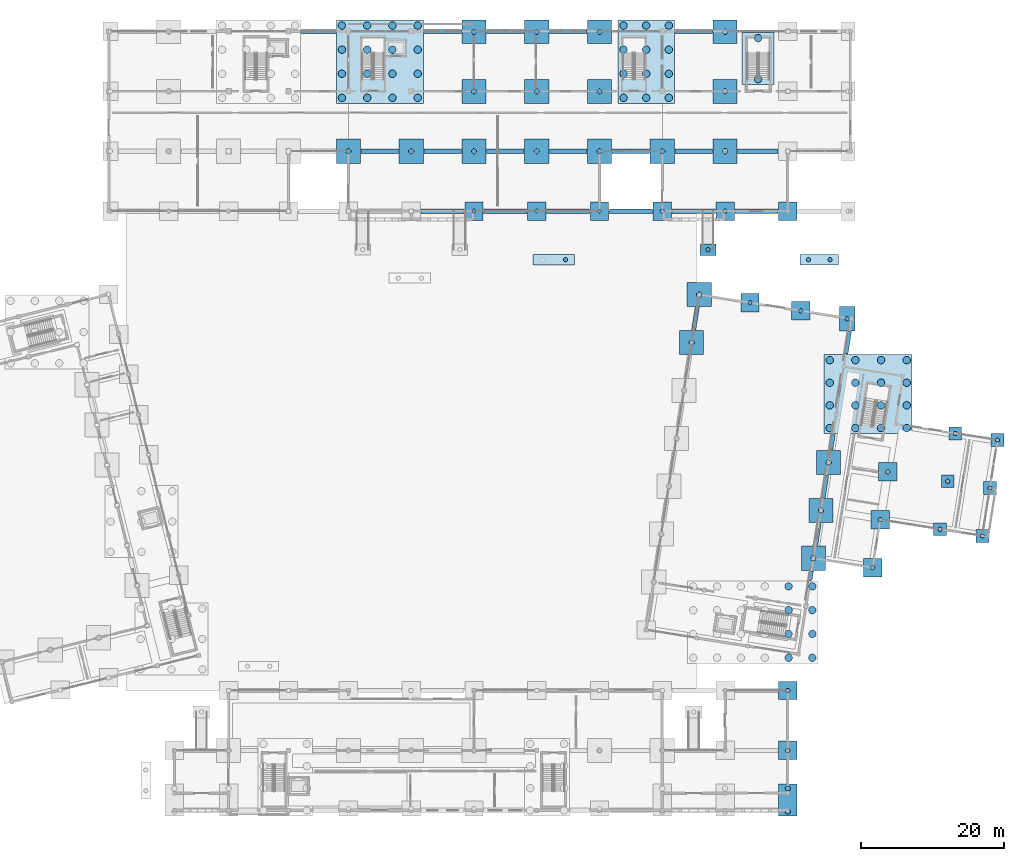
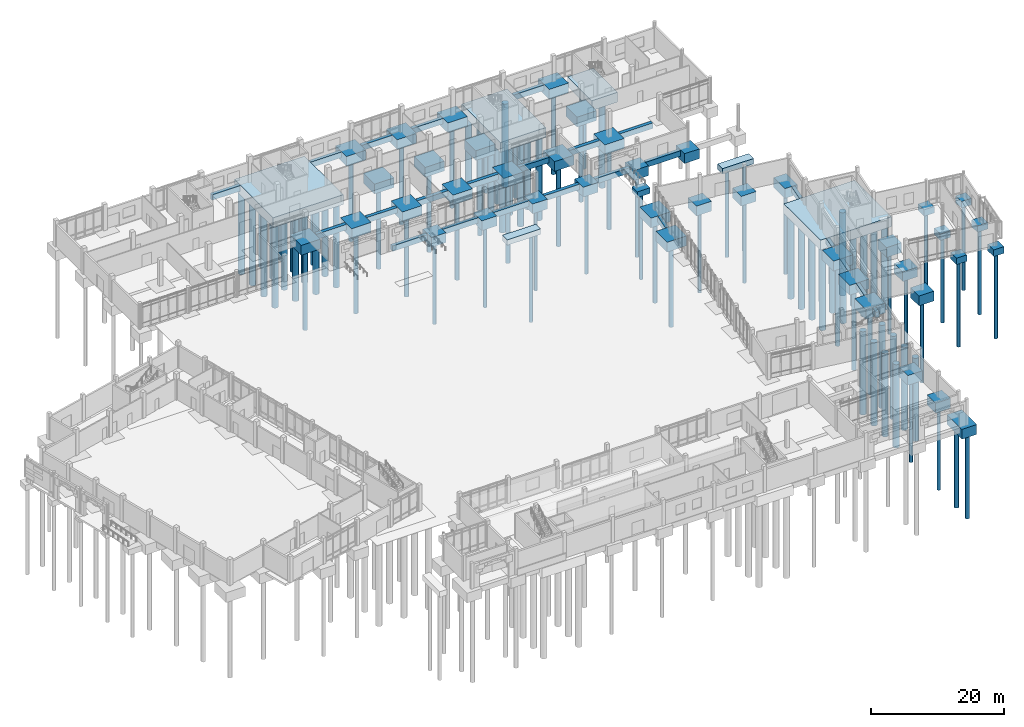
# One storey, part 3 of 72: 99 piles, 72 footings.
"""IFC4 building model written with IfcOpenShell, lengths in metres."""

from ifc_helpers import new_model, si_unit, direction, frame, origin, origin_2d, place, context, subcontext, project, spatial, rectangle, circle, extrude, material, material_profile, profile_set, type_object, element, save


model = new_model("IFC4")

# Units and contexts
model_context = context("Model", 3, precision=1e-05, world=origin(), true_north=direction((0.0, 1.0)))
body_context = subcontext(model_context, "Body", "Model", "MODEL_VIEW")
ifc_project = project(units=[si_unit("LENGTHUNIT", "METRE"), si_unit("AREAUNIT", "SQUARE_METRE"), si_unit("VOLUMEUNIT", "CUBIC_METRE"), si_unit("PLANEANGLEUNIT", "RADIAN"), si_unit("MASSUNIT", "GRAM", prefix="KILO")], contexts=[model_context])

# Site, building, storey
site_placement = place(None, origin())
site = spatial("IfcSite", under=ifc_project, at=site_placement, CompositionType="ELEMENT")
building_placement = place(site_placement, origin())
building = spatial("IfcBuilding", under=site, at=building_placement, Name="Cinderway Yard Community Centre", CompositionType="ELEMENT")
storey_placement = place(building_placement, origin())
storey = spatial("IfcBuildingStorey", under=building, at=storey_placement, Name="L00", CompositionType="ELEMENT", Elevation=0.0)

# Footings
ifc_material = material(Name="Concrete C40/50", Category="concrete")
footing_type_1 = type_object("IfcFootingType", Name="STR-FTG-PAD180", PredefinedType="PAD_FOOTING", material=ifc_material)
for number, where, z_axis, x_axis, name in (
    (1, (158.154052734375, 45.409912109375, -1.2001953125), (0.0, 0.0, 1.0), (1.0, 0.0, 0.0), "Pad footing 01"),
    (2, (159.217041015625, 52.1259765625, -1.2001953125), (0.0, 0.0, 1.0), (1.0, 0.0, 0.0), "Pad footing 02"),
    (3, (160.281005859375, 58.842041015625, -1.2001953125), (0.0, 0.0, 1.0), (1.0, 0.0, 0.0), "Pad footing 03"),
    (4, (164.080078125, 44.470947265625, -1.2001953125), (0.0, 0.0, 1.0), (1.0, 0.0, 0.0), "Pad footing 04"),
    (5, (165.14306640625, 51.18798828125, -1.2001953125), (0.0, 0.0, 1.0), (1.0, 0.0, 0.0), "Pad footing 05"),
    (6, (166.20703125, 57.904052734375, -1.2001953125), (0.0, 0.0, 1.0), (1.0, 0.0, 0.0), "Pad footing 06"),
):
    element("IfcFooting", number, at=place(storey_placement, frame(where, z_axis=z_axis, x_axis=x_axis)), inside=storey, type_object=footing_type_1, Name=name, PredefinedType="PAD_FOOTING", context=body_context, shape_type="SweptSolid", body=[
        extrude(rectangle(XDim=1.800048828125, YDim=1.800048828125, at=origin_2d()), origin(), (0.0, 0.0, 1.0), 1.199951171875),
    ])
footing_type_2 = type_object("IfcFootingType", Name="STR-FTG-PC01", PredefinedType="PILE_CAP", material=ifc_material)
footing_1_placement = place(storey_placement, frame((136.800048828125, 7.445068359375, -1.7998046875), z_axis=(0.0, 0.0, 1.0), x_axis=(1.0, 0.0, 0.0)))
element("IfcFooting", 7, at=footing_1_placement, inside=storey, type_object=footing_type_2, Name="Multi-pile cap 011", PredefinedType="PILE_CAP", context=body_context, shape_type="SweptSolid", body=[
    extrude(rectangle(XDim=2.580078125, YDim=4.489990234375, at=origin_2d()), origin(), (0.0, 0.0, 1.0), 1.800048828125),
])
footing_type_3 = type_object("IfcFootingType", Name="STR-FTG-PC05", PredefinedType="PILE_CAP", material=ifc_material)
for number, where, z_axis, x_axis, name in (
    (8, (140.39794921875, 41.3369140625, -1.7998046875), (0.0, 0.0, 1.0), (1.0, 0.0, 0.0), "Multi-pile cap 046"),
    (9, (141.4619140625, 48.053955078125, -1.7998046875), (0.0, 0.0, 1.0), (1.0, 0.0, 0.0), "Multi-pile cap 052"),
    (10, (142.52490234375, 54.77001953125, -1.7998046875), (0.0, 0.0, 1.0), (1.0, 0.0, 0.0), "Multi-pile cap 057"),
    (11, (123.319091796875, 71.5810546875, -1.7998046875), (0.0, 0.0, 1.0), (1.0, 0.0, 0.0), "Multi-pile cap 071"),
    (12, (124.383056640625, 78.298095703125, -1.7998046875), (0.0, 0.0, 1.0), (1.0, 0.0, 0.0), "Multi-pile cap 078"),
    (13, (75.199951171875, 98.39990234375, -1.7998046875), (0.0, 0.0, 1.0), (1.0, 0.0, 0.0), "Multi-pile cap 096"),
    (14, (84.0, 98.39990234375, -1.7998046875), (0.0, 0.0, 1.0), (1.0, 0.0, 0.0), "Multi-pile cap 097"),
    (15, (92.800048828125, 98.39990234375, -1.7998046875), (0.0, 0.0, 1.0), (1.0, 0.0, 0.0), "Multi-pile cap 098"),
    (16, (101.60009765625, 98.39990234375, -1.7998046875), (0.0, 0.0, 1.0), (1.0, 0.0, 0.0), "Multi-pile cap 099"),
    (17, (110.39990234375, 98.39990234375, -1.7998046875), (0.0, 0.0, 1.0), (1.0, 0.0, 0.0), "Multi-pile cap 100"),
    (18, (119.199951171875, 98.39990234375, -1.7998046875), (0.0, 0.0, 1.0), (1.0, 0.0, 0.0), "Multi-pile cap 101"),
    (19, (128.0, 98.39990234375, -1.7998046875), (0.0, 0.0, 1.0), (1.0, 0.0, 0.0), "Multi-pile cap 102"),
    (20, (92.800048828125, 106.800048828125, -1.7998046875), (0.0, 0.0, 1.0), (1.0, 0.0, 0.0), "Multi-pile cap 109"),
    (21, (101.60009765625, 106.800048828125, -1.7998046875), (0.0, 0.0, 1.0), (1.0, 0.0, 0.0), "Multi-pile cap 110"),
    (22, (110.39990234375, 106.800048828125, -1.7998046875), (0.0, 0.0, 1.0), (1.0, 0.0, 0.0), "Multi-pile cap 111"),
    (23, (128.0, 106.800048828125, -1.7998046875), (0.0, 0.0, 1.0), (1.0, 0.0, 0.0), "Multi-pile cap 113"),
):
    element("IfcFooting", number, at=place(storey_placement, frame(where, z_axis=z_axis, x_axis=x_axis)), inside=storey, type_object=footing_type_3, Name=name, PredefinedType="PILE_CAP", context=body_context, shape_type="SweptSolid", body=[
        extrude(rectangle(XDim=3.3798828125, YDim=3.3798828125, at=origin_2d()), origin(), (0.0, 0.0, 1.0), 1.800048828125),
    ])
footing_type_4 = type_object("IfcFootingType", Name="STR-FTG-PC06", PredefinedType="PILE_CAP", material=ifc_material)
for number, where, z_axis, x_axis, name in (
    (24, (136.800048828125, 14.39990234375, -1.7998046875), (0.0, 0.0, 1.0), (1.0, 0.0, 0.0), "Multi-pile cap 020"),
    (25, (136.800048828125, 22.800048828125, -1.7998046875), (0.0, 0.0, 1.0), (1.0, 0.0, 0.0), "Multi-pile cap 030"),
    (26, (148.694091796875, 40.02294921875, -1.7998046875), (0.0, 0.0, 1.0), (1.0, 0.0, 0.0), "Multi-pile cap 045"),
    (27, (149.758056640625, 46.739990234375, -1.7998046875), (0.0, 0.0, 1.0), (1.0, 0.0, 0.0), "Multi-pile cap 050"),
    (28, (150.822021484375, 53.4560546875, -1.7998046875), (0.0, 0.0, 1.0), (1.0, 0.0, 0.0), "Multi-pile cap 055"),
    (29, (138.60498046875, 76.044921875, -1.7998046875), (0.0, 0.0, 1.0), (1.0, 0.0, 0.0), "Multi-pile cap 076"),
    (30, (131.493896484375, 77.1708984375, -1.7998046875), (0.0, 0.0, 1.0), (1.0, 0.0, 0.0), "Multi-pile cap 077"),
    (31, (92.800048828125, 90.0, -1.7998046875), (0.0, 0.0, 1.0), (1.0, 0.0, 0.0), "Multi-pile cap 086"),
    (32, (101.60009765625, 90.0, -1.7998046875), (0.0, 0.0, 1.0), (1.0, 0.0, 0.0), "Multi-pile cap 087"),
    (33, (110.39990234375, 90.0, -1.7998046875), (0.0, 0.0, 1.0), (1.0, 0.0, 0.0), "Multi-pile cap 088"),
    (34, (119.199951171875, 90.0, -1.7998046875), (0.0, 0.0, 1.0), (1.0, 0.0, 0.0), "Multi-pile cap 089"),
    (35, (128.0, 90.0, -1.7998046875), (0.0, 0.0, 1.0), (1.0, 0.0, 0.0), "Multi-pile cap 090"),
    (36, (136.800048828125, 90.0, -1.7998046875), (0.0, 0.0, 1.0), (1.0, 0.0, 0.0), "Multi-pile cap 091"),
):
    element("IfcFooting", number, at=place(storey_placement, frame(where, z_axis=z_axis, x_axis=x_axis)), inside=storey, type_object=footing_type_4, Name=name, PredefinedType="PILE_CAP", context=body_context, shape_type="SweptSolid", body=[
        extrude(rectangle(XDim=2.580078125, YDim=2.580078125, at=origin_2d()), origin(), (0.0, 0.0, 1.0), 1.800048828125),
    ])
footing_type_5 = type_object("IfcFootingType", Name="STR-FTG-PC10", PredefinedType="PILE_CAP", material=ifc_material)
footing_2_placement = place(storey_placement, frame((148.069091796875, 64.35791015625, -1.7998046875), z_axis=(0.0, 0.0, 1.0), x_axis=(1.0, 0.0, 0.0)))
element("IfcFooting", 37, at=footing_2_placement, inside=storey, type_object=footing_type_5, Name="Multi-pile cap 062", PredefinedType="PILE_CAP", context=body_context, shape_type="SweptSolid", body=[
    extrude(rectangle(XDim=12.340087890625, YDim=11.068115234375, at=origin_2d()), origin(), (0.0, 0.0, 1.0), 1.800048828125),
])
footing_type_6 = type_object("IfcFootingType", Name="STR-FTG-PC12", PredefinedType="PILE_CAP", material=ifc_material)
footing_3_placement = place(storey_placement, frame((145.113037109375, 74.9189453125, -1.7998046875), z_axis=(0.0, 0.0, 1.0), x_axis=(1.0, 0.0, 0.0)))
element("IfcFooting", 38, at=footing_3_placement, inside=storey, type_object=footing_type_6, Name="Multi-pile cap 075", PredefinedType="PILE_CAP", context=body_context, shape_type="SweptSolid", body=[
    extrude(rectangle(XDim=2.173095703125, YDim=3.3798828125, at=origin_2d()), origin(), (0.0, 0.0, 1.0), 1.800048828125),
])
footing_type_7 = type_object("IfcFootingType", Name="STR-FTG-PC16", PredefinedType="PILE_CAP", material=ifc_material)
footing_4_placement = place(storey_placement, frame((79.60009765625, 110.955078125, -1.7998046875), z_axis=(0.0, 0.0, 1.0), x_axis=(1.0, 0.0, 0.0)))
element("IfcFooting", 39, at=footing_4_placement, inside=storey, type_object=footing_type_7, Name="Multi-pile cap 108", PredefinedType="PILE_CAP", context=body_context, shape_type="SweptSolid", body=[
    extrude(rectangle(XDim=12.179931640625, YDim=11.68994140625, at=origin_2d()), origin(), (0.0, 0.0, 1.0), 1.800048828125),
])
footing_type_8 = type_object("IfcFootingType", Name="STR-FTG-PC17", PredefinedType="PILE_CAP", material=ifc_material)
footing_5_placement = place(storey_placement, frame((116.93994140625, 110.955078125, -1.7998046875), z_axis=(0.0, 0.0, 1.0), x_axis=(1.0, 0.0, 0.0)))
element("IfcFooting", 40, at=footing_5_placement, inside=storey, type_object=footing_type_8, Name="Multi-pile cap 112", PredefinedType="PILE_CAP", context=body_context, shape_type="SweptSolid", body=[
    extrude(rectangle(XDim=7.89990234375, YDim=11.68994140625, at=origin_2d()), origin(), (0.0, 0.0, 1.0), 1.800048828125),
])
footing_type_9 = type_object("IfcFootingType", Name="STR-FTG-PC18", PredefinedType="PILE_CAP", material=ifc_material)
footing_6_placement = place(storey_placement, frame((132.639892578125, 111.389892578125, -1.7998046875), z_axis=(0.0, 0.0, 1.0), x_axis=(1.0, 0.0, 0.0)))
element("IfcFooting", 41, at=footing_6_placement, inside=storey, type_object=footing_type_9, Name="Multi-pile cap 117", PredefinedType="PILE_CAP", context=body_context, shape_type="SweptSolid", body=[
    extrude(rectangle(XDim=4.5, YDim=7.300048828125, at=origin_2d()), origin(), (0.0, 0.0, 1.0), 1.800048828125),
])
footing_type_10 = type_object("IfcFootingType", Name="STR-FTG-PC19", PredefinedType="PILE_CAP", material=ifc_material)
for number, where, z_axis, x_axis, name in (
    (42, (92.800048828125, 115.155029296875, -1.7998046875), (0.0, 0.0, 1.0), (1.0, 0.0, 0.0), "Multi-pile cap 119"),
    (43, (101.60009765625, 115.155029296875, -1.7998046875), (0.0, 0.0, 1.0), (1.0, 0.0, 0.0), "Multi-pile cap 120"),
    (44, (110.39990234375, 115.155029296875, -1.7998046875), (0.0, 0.0, 1.0), (1.0, 0.0, 0.0), "Multi-pile cap 121"),
    (45, (128.0, 115.155029296875, -1.7998046875), (0.0, 0.0, 1.0), (1.0, 0.0, 0.0), "Multi-pile cap 122"),
):
    element("IfcFooting", number, at=place(storey_placement, frame(where, z_axis=z_axis, x_axis=x_axis)), inside=storey, type_object=footing_type_10, Name=name, PredefinedType="PILE_CAP", context=body_context, shape_type="SweptSolid", body=[
        extrude(rectangle(XDim=3.3798828125, YDim=3.2900390625, at=origin_2d()), origin(), (0.0, 0.0, 1.0), 1.800048828125),
    ])
footing_type_11 = type_object("IfcFootingType", Name="STR-FTG-RMP-03", PredefinedType="PAD_FOOTING", material=ifc_material)
footing_7_placement = place(storey_placement, frame((125.60009765625, 84.60009765625, -1.2001953125), z_axis=(0.0, 0.0, 1.0), x_axis=(1.0, 0.0, 0.0)))
element("IfcFooting", 46, at=footing_7_placement, inside=storey, type_object=footing_type_11, Name="Ramp toe footing 03", PredefinedType="PAD_FOOTING", context=body_context, shape_type="SweptSolid", body=[
    extrude(rectangle(XDim=2.219970703125, YDim=1.6201171875, at=origin_2d()), origin(), (0.0, 0.0, 1.0), 1.030029296875),
])
footing_type_12 = type_object("IfcFootingType", Name="STR-FTG-STRP-04", PredefinedType="STRIP_FOOTING", material=ifc_material)
footing_8_placement = place(storey_placement, frame((104.0, 83.199951171875, -1.0), z_axis=(0.0, 0.0, 1.0), x_axis=(1.0, 0.0, 0.0)))
element("IfcFooting", 47, at=footing_8_placement, inside=storey, type_object=footing_type_12, Name="Strip footing 04", PredefinedType="STRIP_FOOTING", context=body_context, shape_type="SweptSolid", body=[
    extrude(rectangle(XDim=5.800048828125, YDim=1.449951171875, at=origin_2d()), origin(), (0.0, 0.0, 1.0), 1.0),
])
footing_type_13 = type_object("IfcFootingType", Name="STR-FTG-STRP-05", PredefinedType="STRIP_FOOTING", material=ifc_material)
footing_9_placement = place(storey_placement, frame((141.199951171875, 83.199951171875, -1.0), z_axis=(0.0, 0.0, 1.0), x_axis=(1.0, 0.0, 0.0)))
element("IfcFooting", 48, at=footing_9_placement, inside=storey, type_object=footing_type_13, Name="Strip footing 05", PredefinedType="STRIP_FOOTING", context=body_context, shape_type="SweptSolid", body=[
    extrude(rectangle(XDim=5.39990234375, YDim=1.5, at=origin_2d()), origin(), (0.0, 0.0, 1.0), 1.0),
])
footing_type_14 = type_object("IfcFootingType", Name="STR-FTG-TIE600", PredefinedType="FOOTING_BEAM", material=ifc_material)
for number, where, z_axis, x_axis, name in (
    (49, (79.60009765625, 98.39990234375, -1.0), (0.0, 0.0, 1.0), (1.0, 0.0, 0.0), "Seismic tie beam 005"),
    (50, (88.39990234375, 98.39990234375, -1.0), (0.0, 0.0, 1.0), (1.0, 0.0, 0.0), "Seismic tie beam 006"),
    (51, (97.199951171875, 98.39990234375, -1.0), (0.0, 0.0, 1.0), (1.0, 0.0, 0.0), "Seismic tie beam 007"),
    (52, (106.0, 98.39990234375, -1.0), (0.0, 0.0, 1.0), (1.0, 0.0, 0.0), "Seismic tie beam 008"),
    (53, (114.800048828125, 98.39990234375, -1.0), (0.0, 0.0, 1.0), (1.0, 0.0, 0.0), "Seismic tie beam 009"),
    (54, (123.60009765625, 98.39990234375, -1.0), (0.0, 0.0, 1.0), (1.0, 0.0, 0.0), "Seismic tie beam 010"),
):
    element("IfcFooting", number, at=place(storey_placement, frame(where, z_axis=z_axis, x_axis=x_axis)), inside=storey, type_object=footing_type_14, Name=name, PredefinedType="FOOTING_BEAM", context=body_context, shape_type="SweptSolid", body=[
        extrude(rectangle(XDim=5.260009765625, YDim=0.60009765625, at=origin_2d()), origin(), (0.0, 0.0, 1.0), 1.0),
    ])
footing_10_placement = place(storey_placement, frame((132.60009765625, 98.39990234375, -1.0), z_axis=(0.0, 0.0, 1.0), x_axis=(1.0, 0.0, 0.0)))
element("IfcFooting", 55, at=footing_10_placement, inside=storey, type_object=footing_type_14, Name="Seismic tie beam 011", PredefinedType="FOOTING_BEAM", context=body_context, shape_type="SweptSolid", body=[
    extrude(rectangle(XDim=5.659912109375, YDim=0.60009765625, at=origin_2d()), origin(), (0.0, 0.0, 1.0), 1.0),
])
footing_11_placement = place(storey_placement, frame((71.0, 115.199951171875, -1.0), z_axis=(0.0, 0.0, 1.0), x_axis=(1.0, 0.0, 0.0)))
element("IfcFooting", 56, at=footing_11_placement, inside=storey, type_object=footing_type_14, Name="Seismic tie beam 015", PredefinedType="FOOTING_BEAM", context=body_context, shape_type="SweptSolid", body=[
    extrude(rectangle(XDim=4.860107421875, YDim=0.60009765625, at=origin_2d()), origin(), (0.0, 0.0, 1.0), 1.0),
])
for number, where, z_axis, x_axis, name in (
    (57, (88.39990234375, 115.199951171875, -1.0), (0.0, 0.0, 1.0), (1.0, 0.0, 0.0), "Seismic tie beam 016"),
    (58, (97.199951171875, 115.199951171875, -1.0), (0.0, 0.0, 1.0), (1.0, 0.0, 0.0), "Seismic tie beam 017"),
    (59, (106.0, 115.199951171875, -1.0), (0.0, 0.0, 1.0), (1.0, 0.0, 0.0), "Seismic tie beam 018"),
    (60, (123.60009765625, 115.199951171875, -1.0), (0.0, 0.0, 1.0), (1.0, 0.0, 0.0), "Seismic tie beam 019"),
):
    element("IfcFooting", number, at=place(storey_placement, frame(where, z_axis=z_axis, x_axis=x_axis)), inside=storey, type_object=footing_type_14, Name=name, PredefinedType="FOOTING_BEAM", context=body_context, shape_type="SweptSolid", body=[
        extrude(rectangle(XDim=5.260009765625, YDim=0.60009765625, at=origin_2d()), origin(), (0.0, 0.0, 1.0), 1.0),
    ])
for number, where, z_axis, x_axis, name in (
    (61, (88.39990234375, 90.0, -1.0), (0.0, 0.0, 1.0), (1.0, 0.0, 0.0), "Seismic tie beam 026"),
    (62, (97.199951171875, 90.0, -1.0), (0.0, 0.0, 1.0), (1.0, 0.0, 0.0), "Seismic tie beam 027"),
    (63, (106.0, 90.0, -1.0), (0.0, 0.0, 1.0), (1.0, 0.0, 0.0), "Seismic tie beam 028"),
    (64, (114.800048828125, 90.0, -1.0), (0.0, 0.0, 1.0), (1.0, 0.0, 0.0), "Seismic tie beam 029"),
    (65, (123.60009765625, 90.0, -1.0), (0.0, 0.0, 1.0), (1.0, 0.0, 0.0), "Seismic tie beam 030"),
    (66, (132.39990234375, 90.0, -1.0), (0.0, 0.0, 1.0), (1.0, 0.0, 0.0), "Seismic tie beam 031"),
):
    element("IfcFooting", number, at=place(storey_placement, frame(where, z_axis=z_axis, x_axis=x_axis)), inside=storey, type_object=footing_type_14, Name=name, PredefinedType="FOOTING_BEAM", context=body_context, shape_type="SweptSolid", body=[
        extrude(rectangle(XDim=6.06005859375, YDim=0.60009765625, at=origin_2d()), origin(), (0.0, 0.0, 1.0), 1.0),
    ])
footing_12_placement = place(storey_placement, frame((123.85107421875, 74.93994140625, -1.0), z_axis=(0.0, 0.0, 1.0), x_axis=(0.15645170343, 0.987685610148, 0.0)))
element("IfcFooting", 67, at=footing_12_placement, inside=storey, type_object=footing_type_14, Name="Seismic tie beam 078", PredefinedType="FOOTING_BEAM", context=body_context, shape_type="SweptSolid", body=[
    extrude(rectangle(XDim=3.217041015625, YDim=0.60009765625, at=origin_2d()), origin(), (0.0, 0.0, 1.0), 1.0),
])
footing_13_placement = place(storey_placement, frame((140.011962890625, 38.906005859375, -1.0), z_axis=(0.0, 0.0, 1.0), x_axis=(0.15645170343, 0.987685610148, 0.0)))
element("IfcFooting", 68, at=footing_13_placement, inside=storey, type_object=footing_type_14, Name="Seismic tie beam 079", PredefinedType="FOOTING_BEAM", context=body_context, shape_type="SweptSolid", body=[
    extrude(rectangle(XDim=1.339111328125, YDim=0.60009765625, at=origin_2d()), origin(), (0.0, 0.0, 1.0), 1.0),
])
footing_14_placement = place(storey_placement, frame((140.929931640625, 44.695068359375, -1.0), z_axis=(0.0, 0.0, 1.0), x_axis=(0.15645170343, 0.987685610148, 0.0)))
element("IfcFooting", 69, at=footing_14_placement, inside=storey, type_object=footing_type_14, Name="Seismic tie beam 080", PredefinedType="FOOTING_BEAM", context=body_context, shape_type="SweptSolid", body=[
    extrude(rectangle(XDim=3.217041015625, YDim=0.60009765625, at=origin_2d()), origin(), (0.0, 0.0, 1.0), 1.0),
])
footing_15_placement = place(storey_placement, frame((141.993896484375, 51.412109375, -1.0), z_axis=(0.0, 0.0, 1.0), x_axis=(0.15645170343, 0.987685610148, 0.0)))
element("IfcFooting", 70, at=footing_15_placement, inside=storey, type_object=footing_type_14, Name="Seismic tie beam 081", PredefinedType="FOOTING_BEAM", context=body_context, shape_type="SweptSolid", body=[
    extrude(rectangle(XDim=3.216064453125, YDim=0.60009765625, at=origin_2d()), origin(), (0.0, 0.0, 1.0), 1.0),
])
footing_16_placement = place(storey_placement, frame((142.97998046875, 57.64208984375, -1.0), z_axis=(0.0, 0.0, 1.0), x_axis=(0.15645170343, 0.987685610148, 0.0)))
element("IfcFooting", 71, at=footing_16_placement, inside=storey, type_object=footing_type_14, Name="Seismic tie beam 082", PredefinedType="FOOTING_BEAM", context=body_context, shape_type="SweptSolid", body=[
    extrude(rectangle(XDim=2.23095703125, YDim=0.60009765625, at=origin_2d()), origin(), (0.0, 0.0, 1.0), 1.0),
])
footing_17_placement = place(storey_placement, frame((145.18505859375, 71.56005859375, -1.0), z_axis=(0.0, 0.0, 1.0), x_axis=(0.15645170343, 0.987685610148, 0.0)))
element("IfcFooting", 72, at=footing_17_placement, inside=storey, type_object=footing_type_14, Name="Seismic tie beam 083", PredefinedType="FOOTING_BEAM", context=body_context, shape_type="SweptSolid", body=[
    extrude(rectangle(XDim=3.217041015625, YDim=0.60009765625, at=origin_2d()), origin(), (0.0, 0.0, 1.0), 1.0),
])

# Piles
ifc_material_profile_1 = material_profile(ifc_material, circle(Radius=0.52490234375, at=origin_2d()), Name="Concrete C40/50")
ifc_profile_set_1 = profile_set([ifc_material_profile_1], Name="Concrete C40/50")
pile_type_1 = type_object("IfcPileType", Name="STR-PILE-D1050", PredefinedType="BORED", material=ifc_profile_set_1)
for number, where, z_axis, x_axis, name in (
    (73, (136.906005859375, 27.389892578125, -1.699951171875), (0.0, 0.0, -1.0), (1.0, 0.0, 0.0), "Bored pile 0079"),
    (74, (136.906005859375, 30.722900390625, -1.699951171875), (0.0, 0.0, -1.0), (1.0, 0.0, 0.0), "Bored pile 0080"),
    (75, (136.906005859375, 34.055908203125, -1.699951171875), (0.0, 0.0, -1.0), (1.0, 0.0, 0.0), "Bored pile 0081"),
    (76, (136.906005859375, 37.388916015625, -1.699951171875), (0.0, 0.0, -1.0), (1.0, 0.0, 0.0), "Bored pile 0082"),
    (77, (140.2490234375, 27.389892578125, -1.699951171875), (0.0, 0.0, -1.0), (1.0, 0.0, 0.0), "Bored pile 0083"),
    (78, (140.2490234375, 30.722900390625, -1.699951171875), (0.0, 0.0, -1.0), (1.0, 0.0, 0.0), "Bored pile 0084"),
    (79, (140.2490234375, 34.055908203125, -1.699951171875), (0.0, 0.0, -1.0), (1.0, 0.0, 0.0), "Bored pile 0085"),
    (80, (140.2490234375, 37.388916015625, -1.699951171875), (0.0, 0.0, -1.0), (1.0, 0.0, 0.0), "Bored pile 0086"),
    (81, (142.674072265625, 59.59912109375, -1.699951171875), (0.0, 0.0, -1.0), (1.0, 0.0, 0.0), "Bored pile 0120"),
    (82, (142.674072265625, 62.77197265625, -1.699951171875), (0.0, 0.0, -1.0), (1.0, 0.0, 0.0), "Bored pile 0121"),
    (83, (142.674072265625, 65.944091796875, -1.699951171875), (0.0, 0.0, -1.0), (1.0, 0.0, 0.0), "Bored pile 0122"),
    (84, (142.674072265625, 69.116943359375, -1.699951171875), (0.0, 0.0, -1.0), (1.0, 0.0, 0.0), "Bored pile 0123"),
    (85, (146.27099609375, 59.59912109375, -1.699951171875), (0.0, 0.0, -1.0), (1.0, 0.0, 0.0), "Bored pile 0124"),
    (86, (146.27099609375, 62.77197265625, -1.699951171875), (0.0, 0.0, -1.0), (1.0, 0.0, 0.0), "Bored pile 0125"),
    (87, (146.27099609375, 65.944091796875, -1.699951171875), (0.0, 0.0, -1.0), (1.0, 0.0, 0.0), "Bored pile 0126"),
    (88, (146.27099609375, 69.116943359375, -1.699951171875), (0.0, 0.0, -1.0), (1.0, 0.0, 0.0), "Bored pile 0127"),
    (89, (149.866943359375, 59.59912109375, -1.699951171875), (0.0, 0.0, -1.0), (1.0, 0.0, 0.0), "Bored pile 0128"),
    (90, (149.866943359375, 62.77197265625, -1.699951171875), (0.0, 0.0, -1.0), (1.0, 0.0, 0.0), "Bored pile 0129"),
    (91, (149.866943359375, 65.944091796875, -1.699951171875), (0.0, 0.0, -1.0), (1.0, 0.0, 0.0), "Bored pile 0130"),
    (92, (149.866943359375, 69.116943359375, -1.699951171875), (0.0, 0.0, -1.0), (1.0, 0.0, 0.0), "Bored pile 0131"),
    (93, (153.464111328125, 59.59912109375, -1.699951171875), (0.0, 0.0, -1.0), (1.0, 0.0, 0.0), "Bored pile 0132"),
    (94, (153.464111328125, 62.77197265625, -1.699951171875), (0.0, 0.0, -1.0), (1.0, 0.0, 0.0), "Bored pile 0133"),
    (95, (153.464111328125, 65.944091796875, -1.699951171875), (0.0, 0.0, -1.0), (1.0, 0.0, 0.0), "Bored pile 0134"),
    (96, (153.464111328125, 69.116943359375, -1.699951171875), (0.0, 0.0, -1.0), (1.0, 0.0, 0.0), "Bored pile 0135"),
    (97, (74.284912109375, 105.885009765625, -1.699951171875), (0.0, 0.0, -1.0), (1.0, 0.0, 0.0), "Bored pile 0207"),
    (98, (74.284912109375, 109.264892578125, -1.699951171875), (0.0, 0.0, -1.0), (1.0, 0.0, 0.0), "Bored pile 0208"),
    (99, (74.284912109375, 112.64501953125, -1.699951171875), (0.0, 0.0, -1.0), (1.0, 0.0, 0.0), "Bored pile 0209"),
    (100, (74.284912109375, 116.02490234375, -1.699951171875), (0.0, 0.0, -1.0), (1.0, 0.0, 0.0), "Bored pile 0210"),
    (101, (77.827880859375, 105.885009765625, -1.699951171875), (0.0, 0.0, -1.0), (1.0, 0.0, 0.0), "Bored pile 0211"),
    (102, (77.827880859375, 109.264892578125, -1.699951171875), (0.0, 0.0, -1.0), (1.0, 0.0, 0.0), "Bored pile 0212"),
    (103, (77.827880859375, 112.64501953125, -1.699951171875), (0.0, 0.0, -1.0), (1.0, 0.0, 0.0), "Bored pile 0213"),
    (104, (77.827880859375, 116.02490234375, -1.699951171875), (0.0, 0.0, -1.0), (1.0, 0.0, 0.0), "Bored pile 0214"),
    (105, (81.3720703125, 105.885009765625, -1.699951171875), (0.0, 0.0, -1.0), (1.0, 0.0, 0.0), "Bored pile 0215"),
    (106, (81.3720703125, 109.264892578125, -1.699951171875), (0.0, 0.0, -1.0), (1.0, 0.0, 0.0), "Bored pile 0216"),
    (107, (81.3720703125, 112.64501953125, -1.699951171875), (0.0, 0.0, -1.0), (1.0, 0.0, 0.0), "Bored pile 0217"),
    (108, (81.3720703125, 116.02490234375, -1.699951171875), (0.0, 0.0, -1.0), (1.0, 0.0, 0.0), "Bored pile 0218"),
    (109, (84.9150390625, 105.885009765625, -1.699951171875), (0.0, 0.0, -1.0), (1.0, 0.0, 0.0), "Bored pile 0219"),
    (110, (84.9150390625, 109.264892578125, -1.699951171875), (0.0, 0.0, -1.0), (1.0, 0.0, 0.0), "Bored pile 0220"),
    (111, (84.9150390625, 112.64501953125, -1.699951171875), (0.0, 0.0, -1.0), (1.0, 0.0, 0.0), "Bored pile 0221"),
    (112, (84.9150390625, 116.02490234375, -1.699951171875), (0.0, 0.0, -1.0), (1.0, 0.0, 0.0), "Bored pile 0222"),
    (113, (113.764892578125, 105.885009765625, -1.699951171875), (0.0, 0.0, -1.0), (1.0, 0.0, 0.0), "Bored pile 0226"),
    (114, (113.764892578125, 109.264892578125, -1.699951171875), (0.0, 0.0, -1.0), (1.0, 0.0, 0.0), "Bored pile 0227"),
    (115, (113.764892578125, 112.64501953125, -1.699951171875), (0.0, 0.0, -1.0), (1.0, 0.0, 0.0), "Bored pile 0228"),
    (116, (113.764892578125, 116.02490234375, -1.699951171875), (0.0, 0.0, -1.0), (1.0, 0.0, 0.0), "Bored pile 0229"),
    (117, (116.93994140625, 105.885009765625, -1.699951171875), (0.0, 0.0, -1.0), (1.0, 0.0, 0.0), "Bored pile 0230"),
    (118, (116.93994140625, 109.264892578125, -1.699951171875), (0.0, 0.0, -1.0), (1.0, 0.0, 0.0), "Bored pile 0231"),
    (119, (116.93994140625, 112.64501953125, -1.699951171875), (0.0, 0.0, -1.0), (1.0, 0.0, 0.0), "Bored pile 0232"),
    (120, (116.93994140625, 116.02490234375, -1.699951171875), (0.0, 0.0, -1.0), (1.0, 0.0, 0.0), "Bored pile 0233"),
    (121, (120.114990234375, 105.885009765625, -1.699951171875), (0.0, 0.0, -1.0), (1.0, 0.0, 0.0), "Bored pile 0234"),
    (122, (120.114990234375, 109.264892578125, -1.699951171875), (0.0, 0.0, -1.0), (1.0, 0.0, 0.0), "Bored pile 0235"),
    (123, (120.114990234375, 112.64501953125, -1.699951171875), (0.0, 0.0, -1.0), (1.0, 0.0, 0.0), "Bored pile 0236"),
    (124, (120.114990234375, 116.02490234375, -1.699951171875), (0.0, 0.0, -1.0), (1.0, 0.0, 0.0), "Bored pile 0237"),
    (125, (132.639892578125, 108.514892578125, -1.699951171875), (0.0, 0.0, -1.0), (1.0, 0.0, 0.0), "Bored pile 0242"),
    (126, (132.639892578125, 114.264892578125, -1.699951171875), (0.0, 0.0, -1.0), (1.0, 0.0, 0.0), "Bored pile 0243"),
):
    element("IfcPile", number, at=place(storey_placement, frame(where, z_axis=z_axis, x_axis=x_axis)), inside=storey, type_object=pile_type_1, Name=name, PredefinedType="BORED", context=body_context, shape_type="SweptSolid", body=[
        extrude(circle(Radius=0.52490234375, at=origin_2d()), origin(), (0.0, 0.0, 1.0), 15.300048828125),
    ])
ifc_material_profile_2 = material_profile(ifc_material, circle(Radius=0.300048828125, at=origin_2d()), Name="Concrete C40/50")
ifc_profile_set_2 = profile_set([ifc_material_profile_2], Name="Concrete C40/50")
pile_type_2 = type_object("IfcPileType", Name="STR-PILE-D600", PredefinedType="BORED", material=ifc_profile_set_2)
for number, where, z_axis, x_axis, name in (
    (127, (136.800048828125, 14.39990234375, -1.699951171875), (0.0, 0.0, -1.0), (1.0, 0.0, 0.0), "Bored pile 0039"),
    (128, (136.800048828125, 22.800048828125, -1.699951171875), (0.0, 0.0, -1.0), (1.0, 0.0, 0.0), "Bored pile 0049"),
    (129, (148.694091796875, 40.02294921875, -1.699951171875), (0.0, 0.0, -1.0), (1.0, 0.0, 0.0), "Bored pile 0095"),
    (130, (149.758056640625, 46.739990234375, -1.699951171875), (0.0, 0.0, -1.0), (1.0, 0.0, 0.0), "Bored pile 0108"),
    (131, (150.822021484375, 53.4560546875, -1.699951171875), (0.0, 0.0, -1.0), (1.0, 0.0, 0.0), "Bored pile 0113"),
    (132, (145.113037109375, 74.9189453125, -1.699951171875), (0.0, 0.0, -1.0), (1.0, 0.0, 0.0), "Bored pile 0159"),
    (133, (138.60498046875, 76.044921875, -1.699951171875), (0.0, 0.0, -1.0), (1.0, 0.0, 0.0), "Bored pile 0160"),
    (134, (131.493896484375, 77.1708984375, -1.699951171875), (0.0, 0.0, -1.0), (1.0, 0.0, 0.0), "Bored pile 0161"),
    (135, (92.800048828125, 90.0, -1.699951171875), (0.0, 0.0, -1.0), (1.0, 0.0, 0.0), "Bored pile 0170"),
    (136, (101.60009765625, 90.0, -1.699951171875), (0.0, 0.0, -1.0), (1.0, 0.0, 0.0), "Bored pile 0171"),
    (137, (110.39990234375, 90.0, -1.699951171875), (0.0, 0.0, -1.0), (1.0, 0.0, 0.0), "Bored pile 0172"),
    (138, (119.199951171875, 90.0, -1.699951171875), (0.0, 0.0, -1.0), (1.0, 0.0, 0.0), "Bored pile 0173"),
    (139, (128.0, 90.0, -1.699951171875), (0.0, 0.0, -1.0), (1.0, 0.0, 0.0), "Bored pile 0174"),
):
    element("IfcPile", number, at=place(storey_placement, frame(where, z_axis=z_axis, x_axis=x_axis)), inside=storey, type_object=pile_type_2, Name=name, PredefinedType="BORED", context=body_context, shape_type="SweptSolid", body=[
        extrude(circle(Radius=0.300048828125, at=origin_2d()), origin(), (0.0, 0.0, 1.0), 15.300048828125),
    ])
for number, where, z_axis, x_axis, name in (
    (140, (158.154052734375, 45.409912109375, -1.10009765625), (0.0, 0.0, -1.0), (1.0, 0.0, 0.0), "Bored pile 0252"),
    (141, (159.217041015625, 52.1259765625, -1.10009765625), (0.0, 0.0, -1.0), (1.0, 0.0, 0.0), "Bored pile 0253"),
    (142, (160.281005859375, 58.842041015625, -1.10009765625), (0.0, 0.0, -1.0), (1.0, 0.0, 0.0), "Bored pile 0254"),
    (143, (164.080078125, 44.470947265625, -1.10009765625), (0.0, 0.0, -1.0), (1.0, 0.0, 0.0), "Bored pile 0255"),
    (144, (165.14306640625, 51.18798828125, -1.10009765625), (0.0, 0.0, -1.0), (1.0, 0.0, 0.0), "Bored pile 0256"),
    (145, (166.20703125, 57.904052734375, -1.10009765625), (0.0, 0.0, -1.0), (1.0, 0.0, 0.0), "Bored pile 0257"),
):
    element("IfcPile", number, at=place(storey_placement, frame(where, z_axis=z_axis, x_axis=x_axis)), inside=storey, type_object=pile_type_2, Name=name, PredefinedType="BORED", context=body_context, shape_type="SweptSolid", body=[
        extrude(circle(Radius=0.300048828125, at=origin_2d()), origin(), (0.0, 0.0, 1.0), 15.89990234375),
    ])
for number, where, z_axis, x_axis, name in (
    (146, (105.6240234375, 83.199951171875, -0.89990234375), (0.0, 0.0, -1.0), (1.0, 0.0, 0.0), "Bored pile 0269"),
    (147, (139.68798828125, 83.199951171875, -0.89990234375), (0.0, 0.0, -1.0), (1.0, 0.0, 0.0), "Bored pile 0270"),
    (148, (142.7119140625, 83.199951171875, -0.89990234375), (0.0, 0.0, -1.0), (1.0, 0.0, 0.0), "Bored pile 0271"),
):
    element("IfcPile", number, at=place(storey_placement, frame(where, z_axis=z_axis, x_axis=x_axis)), inside=storey, type_object=pile_type_2, Name=name, PredefinedType="BORED", context=body_context, shape_type="SweptSolid", body=[
        extrude(circle(Radius=0.300048828125, at=origin_2d()), origin(), (0.0, 0.0, 1.0), 16.10009765625),
    ])
pile_placement = place(storey_placement, frame((125.60009765625, 84.60009765625, -1.10009765625), z_axis=(0.0, 0.0, -1.0), x_axis=(1.0, 0.0, 0.0)))
element("IfcPile", 149, at=pile_placement, inside=storey, type_object=pile_type_2, Name="Bored pile 0274", PredefinedType="BORED", context=body_context, shape_type="SweptSolid", body=[
    extrude(circle(Radius=0.300048828125, at=origin_2d()), origin(), (0.0, 0.0, 1.0), 15.89990234375),
])
ifc_material_profile_3 = material_profile(ifc_material, circle(Radius=0.375, at=origin_2d()), Name="Concrete C40/50")
ifc_profile_set_3 = profile_set([ifc_material_profile_3], Name="Concrete C40/50")
pile_type_3 = type_object("IfcPileType", Name="STR-PILE-D750", PredefinedType="BORED", material=ifc_profile_set_3)
for number, where, z_axis, x_axis, name in (
    (150, (136.800048828125, 5.824951171875, -1.699951171875), (0.0, 0.0, -1.0), (1.0, 0.0, 0.0), "Bored pile 0029"),
    (151, (136.800048828125, 9.06494140625, -1.699951171875), (0.0, 0.0, -1.0), (1.0, 0.0, 0.0), "Bored pile 0030"),
    (152, (140.39794921875, 41.3369140625, -1.699951171875), (0.0, 0.0, -1.0), (1.0, 0.0, 0.0), "Bored pile 0096"),
    (153, (141.4619140625, 48.053955078125, -1.699951171875), (0.0, 0.0, -1.0), (1.0, 0.0, 0.0), "Bored pile 0110"),
    (154, (142.52490234375, 54.77001953125, -1.699951171875), (0.0, 0.0, -1.0), (1.0, 0.0, 0.0), "Bored pile 0115"),
    (155, (123.319091796875, 71.5810546875, -1.699951171875), (0.0, 0.0, -1.0), (1.0, 0.0, 0.0), "Bored pile 0155"),
    (156, (124.383056640625, 78.298095703125, -1.699951171875), (0.0, 0.0, -1.0), (1.0, 0.0, 0.0), "Bored pile 0162"),
    (157, (75.199951171875, 98.39990234375, -1.699951171875), (0.0, 0.0, -1.0), (1.0, 0.0, 0.0), "Bored pile 0180"),
    (158, (84.0, 98.39990234375, -1.699951171875), (0.0, 0.0, -1.0), (1.0, 0.0, 0.0), "Bored pile 0181"),
    (159, (92.800048828125, 98.39990234375, -1.699951171875), (0.0, 0.0, -1.0), (1.0, 0.0, 0.0), "Bored pile 0182"),
    (160, (101.60009765625, 98.39990234375, -1.699951171875), (0.0, 0.0, -1.0), (1.0, 0.0, 0.0), "Bored pile 0183"),
    (161, (110.39990234375, 98.39990234375, -1.699951171875), (0.0, 0.0, -1.0), (1.0, 0.0, 0.0), "Bored pile 0184"),
    (162, (119.199951171875, 98.39990234375, -1.699951171875), (0.0, 0.0, -1.0), (1.0, 0.0, 0.0), "Bored pile 0185"),
    (163, (128.0, 98.39990234375, -1.699951171875), (0.0, 0.0, -1.0), (1.0, 0.0, 0.0), "Bored pile 0186"),
    (164, (92.800048828125, 106.800048828125, -1.699951171875), (0.0, 0.0, -1.0), (1.0, 0.0, 0.0), "Bored pile 0223"),
    (165, (101.60009765625, 106.800048828125, -1.699951171875), (0.0, 0.0, -1.0), (1.0, 0.0, 0.0), "Bored pile 0224"),
    (166, (110.39990234375, 106.800048828125, -1.699951171875), (0.0, 0.0, -1.0), (1.0, 0.0, 0.0), "Bored pile 0225"),
    (167, (128.0, 106.800048828125, -1.699951171875), (0.0, 0.0, -1.0), (1.0, 0.0, 0.0), "Bored pile 0238"),
    (168, (92.800048828125, 115.155029296875, -1.699951171875), (0.0, 0.0, -1.0), (1.0, 0.0, 0.0), "Bored pile 0245"),
    (169, (101.60009765625, 115.155029296875, -1.699951171875), (0.0, 0.0, -1.0), (1.0, 0.0, 0.0), "Bored pile 0246"),
    (170, (110.39990234375, 115.155029296875, -1.699951171875), (0.0, 0.0, -1.0), (1.0, 0.0, 0.0), "Bored pile 0247"),
    (171, (128.0, 115.155029296875, -1.699951171875), (0.0, 0.0, -1.0), (1.0, 0.0, 0.0), "Bored pile 0248"),
):
    element("IfcPile", number, at=place(storey_placement, frame(where, z_axis=z_axis, x_axis=x_axis)), inside=storey, type_object=pile_type_3, Name=name, PredefinedType="BORED", context=body_context, shape_type="SweptSolid", body=[
        extrude(circle(Radius=0.375, at=origin_2d()), origin(), (0.0, 0.0, 1.0), 15.300048828125),
    ])

save(model, "model.ifc")
